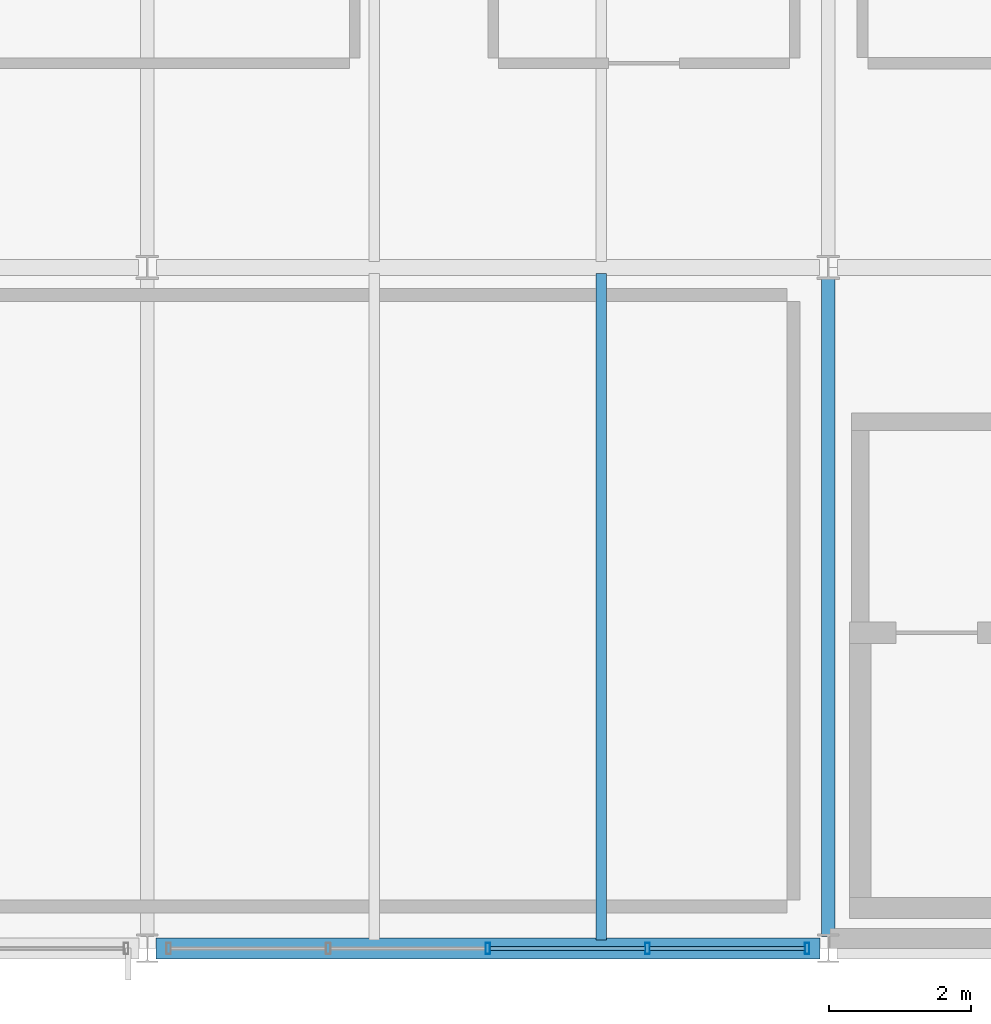
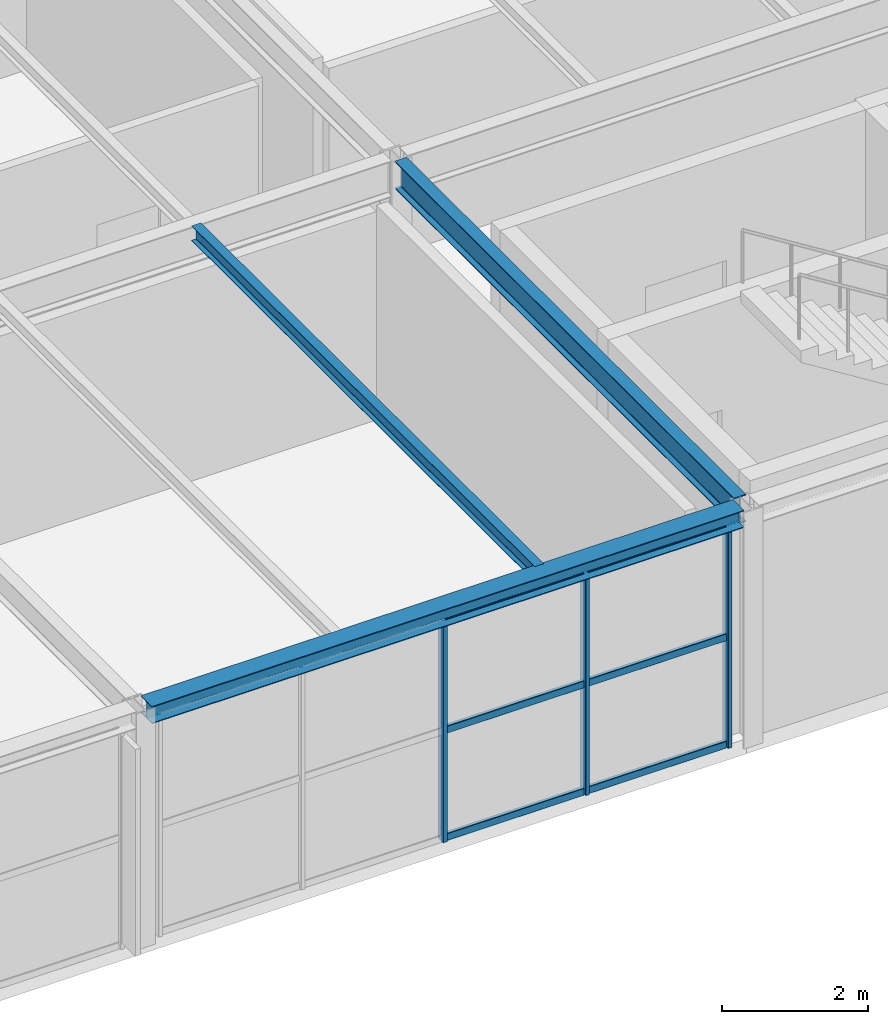
# One storey, part 46 of 126: 9 members, 3 beams, 1 element without a shape of its own.
"""IFC4 building model written with IfcOpenShell, lengths in metres."""

from ifc_helpers import new_model, si_unit, direction, frame, origin, origin_2d, place, context, subcontext, project, spatial, hollow_rectangle, i_section, extrude, material, material_profile, profile_set, type_object, element, aggregate, save


model = new_model("IFC4")

# Units and contexts
model_context = context("Model", 3, precision=1e-05, world=origin(), true_north=direction((0.0, 1.0)))
body_context = subcontext(model_context, "Body", "Model", "MODEL_VIEW")
ifc_project = project(units=[si_unit("LENGTHUNIT", "METRE"), si_unit("AREAUNIT", "SQUARE_METRE"), si_unit("VOLUMEUNIT", "CUBIC_METRE"), si_unit("PLANEANGLEUNIT", "RADIAN"), si_unit("MASSUNIT", "GRAM", prefix="KILO")], contexts=[model_context])

# Site, building, storey
site_placement = place(None, origin())
site = spatial("IfcSite", under=ifc_project, at=site_placement, CompositionType="ELEMENT")
building_placement = place(site_placement, origin())
building = spatial("IfcBuilding", under=site, at=building_placement, Name="Coralgate Yard Interchange", CompositionType="ELEMENT")
storey_placement = place(building_placement, frame((0.0, 0.0, 10.5)))
storey = spatial("IfcBuildingStorey", under=building, at=storey_placement, Name="L02", CompositionType="ELEMENT", Elevation=10.5)

# Beams
ifc_material_1 = material(Name="Structural steel S355J2", Category="steel")
ifc_material_profile_1 = material_profile(ifc_material_1, i_section(OverallWidth=0.1904296875, OverallDepth=0.45703125, WebThickness=0.009033203125, FlangeThickness=0.014404296875, FilletRadius=0.01025390625, at=origin_2d()), Name="UB 457x191x74")
ifc_profile_set_1 = profile_set([ifc_material_profile_1], Name="Structural steel S355J2")
beam_type_1 = type_object("IfcBeamType", Name="BM-SB-2", PredefinedType="BEAM", material=ifc_profile_set_1)
beam_1_placement = place(storey_placement, frame((76.800048828125, 0.169921875, 3.721435546875), z_axis=(0.0, 1.0, 0.0), x_axis=(-1.0, 0.0, 0.0)))
element("IfcBeam", 1, at=beam_1_placement, inside=storey, type_object=beam_type_1, Name="L02 primary grid girder X8 Y0-1", PredefinedType="BEAM", context=body_context, shape_type="SweptSolid", body=[
    extrude(i_section(OverallWidth=0.1904296875, OverallDepth=0.45703125, WebThickness=0.009033203125, FlangeThickness=0.014404296875, FilletRadius=0.01025390625, at=origin_2d()), origin(), (0.0, 0.0, 1.0), 9.2900390625),
])
ifc_material_profile_2 = material_profile(ifc_material_1, i_section(OverallWidth=0.14599609375, OverallDepth=0.25146484375, WebThickness=0.006103515625, FlangeThickness=0.008544921875, FilletRadius=0.007568359375, at=origin_2d()), Name="UB 254x146x31")
ifc_profile_set_2 = profile_set([ifc_material_profile_2], Name="Structural steel S355J2")
beam_type_2 = type_object("IfcBeamType", Name="BM-SJ-2", PredefinedType="JOIST", material=ifc_profile_set_2)
beam_2_placement = place(storey_placement, frame((73.60009765625, 0.1201171875, 3.82421875), z_axis=(0.0, 1.0, 0.0), x_axis=(-1.0, 0.0, 0.0)))
element("IfcBeam", 2, at=beam_2_placement, inside=storey, type_object=beam_type_2, Name="L02 composite floor joist 7-0-2", PredefinedType="JOIST", context=body_context, shape_type="SweptSolid", body=[
    extrude(i_section(OverallWidth=0.14599609375, OverallDepth=0.25146484375, WebThickness=0.006103515625, FlangeThickness=0.008544921875, FilletRadius=0.007568359375, at=origin_2d()), origin(), (0.0, 0.0, 1.0), 9.395751953125),
])
ifc_material_profile_3 = material_profile(ifc_material_1, i_section(OverallWidth=0.300048828125, OverallDepth=0.2900390625, WebThickness=0.008544921875, FlangeThickness=0.013916015625, FilletRadius=0.027099609375, at=origin_2d()), Name="HEA 300")
ifc_profile_set_3 = profile_set([ifc_material_profile_3], Name="Structural steel S355J2")
beam_type_3 = type_object("IfcBeamType", Name="BM-SP-2", PredefinedType="SPANDREL", material=ifc_profile_set_3)
beam_3_placement = place(storey_placement, frame((67.320068359375, 0.0, 3.804931640625), z_axis=(1.0, 0.0, 0.0), x_axis=(0.0, 1.0, 0.0)))
element("IfcBeam", 3, at=beam_3_placement, inside=storey, type_object=beam_type_3, Name="L02 primary grid beam Y0 X7-8", PredefinedType="SPANDREL", context=body_context, shape_type="SweptSolid", body=[
    extrude(i_section(OverallWidth=0.300048828125, OverallDepth=0.2900390625, WebThickness=0.008544921875, FlangeThickness=0.013916015625, FilletRadius=0.027099609375, at=origin_2d()), origin(), (0.0, 0.0, 1.0), 9.35986328125),
])

# Curtain wall, members
ifc_material_2 = material(Name="Anodised coastal aluminium and solar-control low-E glass", Category="aluminium")
curtain_wall_type = type_object("IfcCurtainWallType", Name="CW-CW-L02-A", PredefinedType="NOTDEFINED", material=ifc_material_2)
curtain_wall_placement = place(storey_placement, origin())
curtain_wall = element("IfcCurtainWall", 4, at=curtain_wall_placement, inside=storey, type_object=curtain_wall_type, Name="L02 unitised curtain wall CW-L02-S-07-00", PredefinedType="NOTDEFINED")
ifc_material_3 = material(Name="Anodised coastal aluminium 6063-T6", Category="aluminium")
ifc_material_profile_4 = material_profile(ifc_material_3, hollow_rectangle(XDim=0.06494140625, YDim=0.159912109375, WallThickness=0.00390625, InnerFilletRadius=0.00390625, OuterFilletRadius=0.008056640625, at=origin_2d()), Name="ALU 65x160x4")
ifc_profile_set_4 = profile_set([ifc_material_profile_4], Name="Anodised coastal aluminium 6063-T6")
member_type_1 = type_object("IfcMemberType", Name="MB-MUL-160", PredefinedType="MULLION", material=ifc_profile_set_4)
member_1_placement = place(storey_placement, frame((76.5, 0.0, 0.0), z_axis=(0.0, 0.0, 1.0), x_axis=(1.0, 0.0, 0.0)))
member_1 = element("IfcMember", 5, at=member_1_placement, type_object=member_type_1, Name="CW-L02-S-07-00 vertical mullion 1", PredefinedType="MULLION", context=body_context, shape_type="SweptSolid", body=[
    extrude(hollow_rectangle(XDim=0.06494140625, YDim=0.159912109375, WallThickness=0.00390625, InnerFilletRadius=0.00390625, OuterFilletRadius=0.008056640625, at=origin_2d()), origin(), (0.0, 0.0, 1.0), 3.659912109375),
])
member_2_placement = place(storey_placement, frame((74.25, 0.0, 0.0), z_axis=(0.0, 0.0, 1.0), x_axis=(1.0, 0.0, 0.0)))
member_2 = element("IfcMember", 6, at=member_2_placement, type_object=member_type_1, Name="CW-L02-S-07-00 vertical mullion 2", PredefinedType="MULLION", context=body_context, shape_type="SweptSolid", body=[
    extrude(hollow_rectangle(XDim=0.06494140625, YDim=0.159912109375, WallThickness=0.00390625, InnerFilletRadius=0.00390625, OuterFilletRadius=0.008056640625, at=origin_2d()), origin(), (0.0, 0.0, 1.0), 3.659912109375),
])
member_3_placement = place(storey_placement, frame((72.0, 0.0, 0.0), z_axis=(0.0, 0.0, 1.0), x_axis=(1.0, 0.0, 0.0)))
member_3 = element("IfcMember", 7, at=member_3_placement, type_object=member_type_1, Name="CW-L02-S-07-00 vertical mullion 3", PredefinedType="MULLION", context=body_context, shape_type="SweptSolid", body=[
    extrude(hollow_rectangle(XDim=0.06494140625, YDim=0.159912109375, WallThickness=0.00390625, InnerFilletRadius=0.00390625, OuterFilletRadius=0.008056640625, at=origin_2d()), origin(), (0.0, 0.0, 1.0), 3.659912109375),
])
ifc_material_profile_5 = material_profile(ifc_material_3, hollow_rectangle(XDim=0.06005859375, YDim=0.1201171875, WallThickness=0.00341796875, InnerFilletRadius=0.00341796875, OuterFilletRadius=0.007080078125, at=origin_2d()), Name="ALU 60x120x3.5")
ifc_profile_set_5 = profile_set([ifc_material_profile_5], Name="Anodised coastal aluminium 6063-T6")
member_type_2 = type_object("IfcMemberType", Name="MB-TRN-120", PredefinedType="USERDEFINED", material=ifc_profile_set_5)
member_4_placement = place(storey_placement, frame((76.469970703125, 0.0, 0.034912109375), z_axis=(-1.0, 0.0, 0.0), x_axis=(0.0, -1.0, 0.0)))
member_4 = element("IfcMember", 8, at=member_4_placement, type_object=member_type_2, Name="CW-L02-S-07-00 horizontal transom 1-1", ObjectType="TRANSOM", PredefinedType="USERDEFINED", context=body_context, shape_type="SweptSolid", body=[
    extrude(hollow_rectangle(XDim=0.06005859375, YDim=0.1201171875, WallThickness=0.00341796875, InnerFilletRadius=0.00341796875, OuterFilletRadius=0.007080078125, at=origin_2d()), origin(), (0.0, 0.0, 1.0), 2.18994140625),
])
member_5_placement = place(storey_placement, frame((76.469970703125, 0.0, 1.830078125), z_axis=(-1.0, 0.0, 0.0), x_axis=(0.0, -1.0, 0.0)))
member_5 = element("IfcMember", 9, at=member_5_placement, type_object=member_type_2, Name="CW-L02-S-07-00 horizontal transom 1-2", ObjectType="TRANSOM", PredefinedType="USERDEFINED", context=body_context, shape_type="SweptSolid", body=[
    extrude(hollow_rectangle(XDim=0.06005859375, YDim=0.1201171875, WallThickness=0.00341796875, InnerFilletRadius=0.00341796875, OuterFilletRadius=0.007080078125, at=origin_2d()), origin(), (0.0, 0.0, 1.0), 2.18994140625),
])
member_6_placement = place(storey_placement, frame((76.469970703125, 0.0, 3.625), z_axis=(-1.0, 0.0, 0.0), x_axis=(0.0, -1.0, 0.0)))
member_6 = element("IfcMember", 10, at=member_6_placement, type_object=member_type_2, Name="CW-L02-S-07-00 horizontal transom 1-3", ObjectType="TRANSOM", PredefinedType="USERDEFINED", context=body_context, shape_type="SweptSolid", body=[
    extrude(hollow_rectangle(XDim=0.06005859375, YDim=0.1201171875, WallThickness=0.00341796875, InnerFilletRadius=0.00341796875, OuterFilletRadius=0.007080078125, at=origin_2d()), origin(), (0.0, 0.0, 1.0), 2.18994140625),
])
member_7_placement = place(storey_placement, frame((74.219970703125, 0.0, 0.034912109375), z_axis=(-1.0, 0.0, 0.0), x_axis=(0.0, -1.0, 0.0)))
member_7 = element("IfcMember", 11, at=member_7_placement, type_object=member_type_2, Name="CW-L02-S-07-00 horizontal transom 2-1", ObjectType="TRANSOM", PredefinedType="USERDEFINED", context=body_context, shape_type="SweptSolid", body=[
    extrude(hollow_rectangle(XDim=0.06005859375, YDim=0.1201171875, WallThickness=0.00341796875, InnerFilletRadius=0.00341796875, OuterFilletRadius=0.007080078125, at=origin_2d()), origin(), (0.0, 0.0, 1.0), 2.18994140625),
])
member_8_placement = place(storey_placement, frame((74.219970703125, 0.0, 1.830078125), z_axis=(-1.0, 0.0, 0.0), x_axis=(0.0, -1.0, 0.0)))
member_8 = element("IfcMember", 12, at=member_8_placement, type_object=member_type_2, Name="CW-L02-S-07-00 horizontal transom 2-2", ObjectType="TRANSOM", PredefinedType="USERDEFINED", context=body_context, shape_type="SweptSolid", body=[
    extrude(hollow_rectangle(XDim=0.06005859375, YDim=0.1201171875, WallThickness=0.00341796875, InnerFilletRadius=0.00341796875, OuterFilletRadius=0.007080078125, at=origin_2d()), origin(), (0.0, 0.0, 1.0), 2.18994140625),
])
member_9_placement = place(storey_placement, frame((74.219970703125, 0.0, 3.625), z_axis=(-1.0, 0.0, 0.0), x_axis=(0.0, -1.0, 0.0)))
member_9 = element("IfcMember", 13, at=member_9_placement, type_object=member_type_2, Name="CW-L02-S-07-00 horizontal transom 2-3", ObjectType="TRANSOM", PredefinedType="USERDEFINED", context=body_context, shape_type="SweptSolid", body=[
    extrude(hollow_rectangle(XDim=0.06005859375, YDim=0.1201171875, WallThickness=0.00341796875, InnerFilletRadius=0.00341796875, OuterFilletRadius=0.007080078125, at=origin_2d()), origin(), (0.0, 0.0, 1.0), 2.18994140625),
])
aggregate(curtain_wall, [member_1, member_2, member_3, member_4, member_5, member_6, member_7, member_8, member_9])

save(model, "model.ifc")
